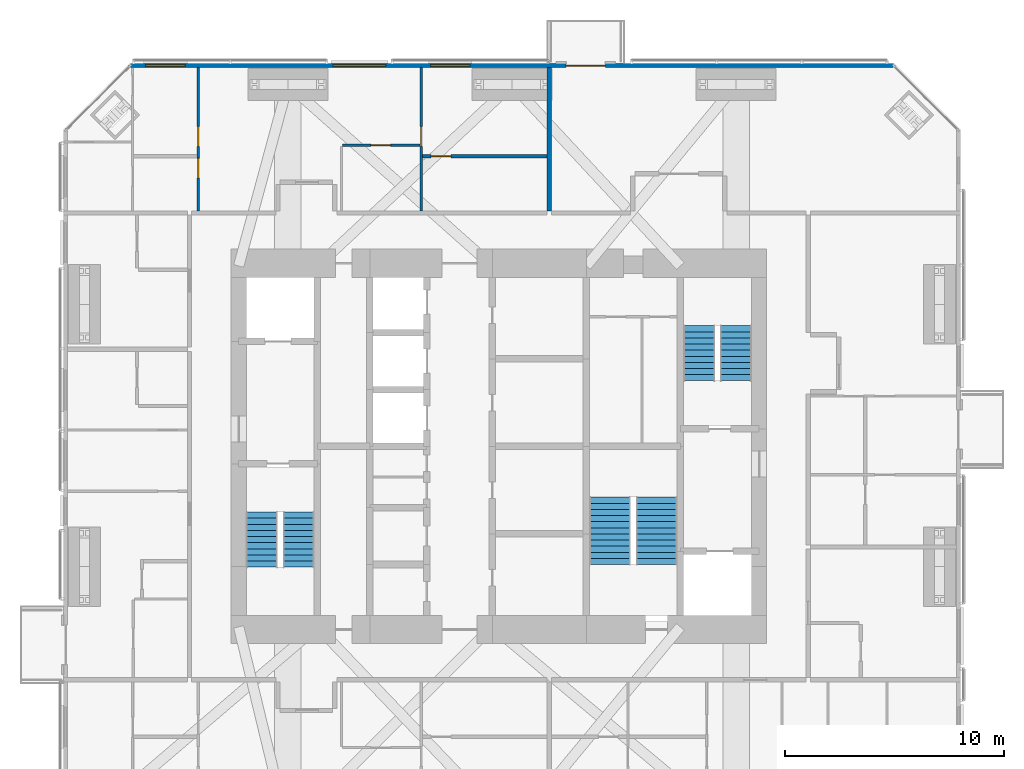
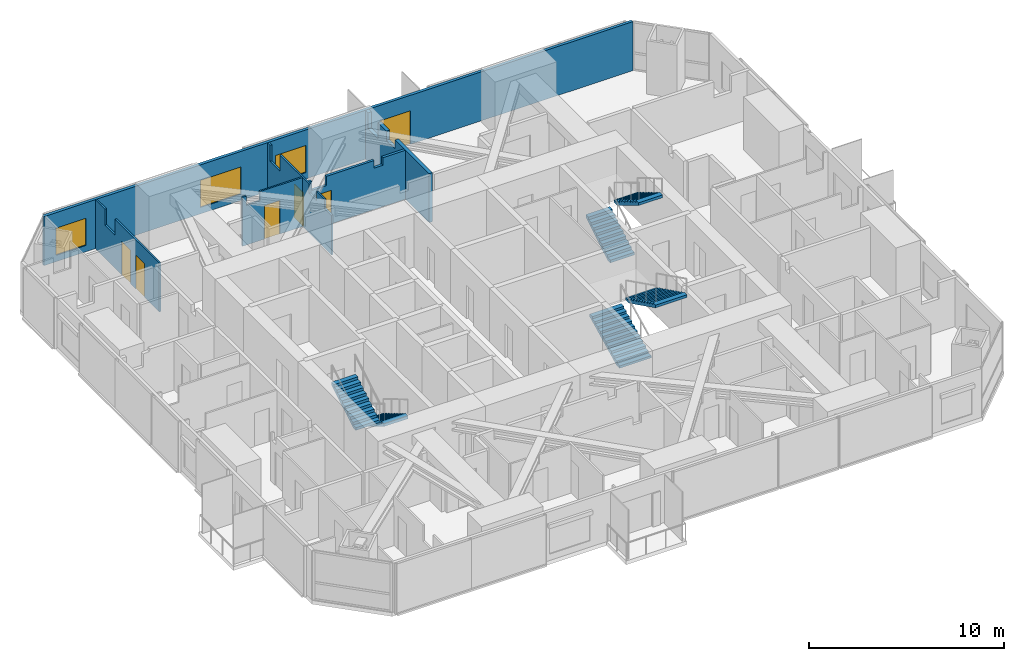
# One storey, part 21 of 22: 6 doors, 6 stair flights, 6 walls, 3 windows, 9 openings, 3 elements without a shape of their own.
"""IFC4 building model written with IfcOpenShell, lengths in metres."""

from ifc_helpers import new_model, si_unit, direction, frame, frame_2d, origin, place, context, subcontext, project, spatial, polyline, rectangle, outline, extrude, material, constituent, constituent_set, type_object, element, fill, aggregate, save


model = new_model("IFC4")

# Units and contexts
model_context = context("Model", 3, precision=1e-05, world=origin(), true_north=direction((0.0, 1.0)))
body_context = subcontext(model_context, "Body", "Model", "MODEL_VIEW")
ifc_project = project(units=[si_unit("LENGTHUNIT", "METRE"), si_unit("AREAUNIT", "SQUARE_METRE"), si_unit("VOLUMEUNIT", "CUBIC_METRE"), si_unit("PLANEANGLEUNIT", "RADIAN"), si_unit("MASSUNIT", "GRAM", prefix="KILO")], contexts=[model_context])

# Site, building, storey
site_placement = place(None, origin())
site = spatial("IfcSite", under=ifc_project, at=site_placement, CompositionType="ELEMENT")
building_placement = place(site_placement, origin())
building = spatial("IfcBuilding", under=site, at=building_placement, Name="Jalousie Tower", CompositionType="ELEMENT")
storey_placement = place(building_placement, frame((0.0, 0.0, 204.60009765625)))
storey = spatial("IfcBuildingStorey", under=building, at=storey_placement, Name="L56", CompositionType="ELEMENT", Elevation=204.60009765625)

# Wall, opening, door
ifc_material_1 = material(Name="Concrete block ASTM C90", Category="concrete")
ifc_constituent_1 = constituent(ifc_material_1, Name="Body")
ifc_material_2 = material(Name="Render")
ifc_constituent_2 = constituent(ifc_material_2, Name="Finish")
ifc_constituent_set_1 = constituent_set(constituents=[ifc_constituent_1, ifc_constituent_2])
wall_type_1 = type_object("IfcWallType", Name="BATHROOM WALL 150", PredefinedType="PLUMBINGWALL", material=ifc_constituent_set_1)
wall_1_placement = place(storey_placement, frame((28.39990234375, 31.77490234375, 0.0), z_axis=(0.0, 0.0, 1.0), x_axis=(1.0, 0.0, 0.0)))
wall_1 = element("IfcWall", 1, at=wall_1_placement, inside=storey, type_object=wall_type_1, Name="Bathroom Wall 150 L56", PredefinedType="PLUMBINGWALL", context=body_context, shape_type="SweptSolid", body=[
    extrude(outline(polyline([(0.0, 0.0), (5.7001953125, 0.0), (5.699951171875, 3.06982421875), (4.3564453125, 3.06982421875), (4.3564453125, 2.594970703125), (3.843505859375, 2.594970703125), (3.843505859375, 3.06982421875), (1.014892578125, 3.06982421875), (1.014892578125, 2.49072265625), (0.16162109375, 2.49072265625), (0.16162109375, 3.06982421875), (0.0, 3.06982421875), (0.0, 0.0)])), frame((0.0, 0.074951171875, 0.0), z_axis=(0.0, -1.0, 0.0), x_axis=(1.0, 0.0, 0.0)), (0.0, 0.0, 1.0), 0.14990234375),
])
opening_1_placement = place(wall_1_placement, frame((0.39990234375, 0.0, 0.0)))
opening_1 = element("IfcOpeningElement", 2, at=opening_1_placement, cuts=wall_1, Name="Opening D3", PredefinedType="OPENING", context=body_context, shape_type="SweptSolid", body=[
    extrude(rectangle(XDim=0.89990234375, YDim=2.10009765625, at=frame_2d((0.449951171875, 1.050048828125))), frame((0.0, 0.0849609375, 0.0), z_axis=(0.0, -1.0, 0.0), x_axis=(1.0, 0.0, 0.0)), (0.0, 0.0, 1.0), 0.169921875),
])
ifc_material_3 = material(Name="Timber door", Category="wood")
door_type_1 = type_object("IfcDoorType", Name="BATHROOM DOOR 900", OperationType="SINGLE_SWING_LEFT", PredefinedType="DOOR", material=ifc_material_3)
door_1_placement = place(opening_1_placement, frame((0.89990234375, 0.0, 0.0), z_axis=(0.0, 0.0, 1.0), x_axis=(-1.0, 0.0, 0.0)))
door_1 = element("IfcDoor", 3, at=door_1_placement, inside=storey, type_object=door_type_1, Name="Apartment 5603 bedroom 3 bathroom door", OperationType="SINGLE_SWING_RIGHT", OverallHeight=2.10009765625, OverallWidth=0.89990234375, PredefinedType="DOOR", context=body_context, shape_type="SweptSolid", body=[
    extrude(rectangle(XDim=0.89990234375, YDim=2.10009765625, at=frame_2d((0.449951171875, 1.050048828125))), frame((0.0, 0.02490234375, 0.0), z_axis=(0.0, -1.0, 0.0), x_axis=(1.0, 0.0, 0.0)), (0.0, 0.0, 1.0), 0.050048828125),
])
fill(opening_1, door_1)

# Wall, openings, door, windows
ifc_material_4 = material(Name="Concrete f'c 40 MPa", Category="concrete")
ifc_constituent_3 = constituent(ifc_material_4, Name="Body")
ifc_material_5 = material(Name="Render, pastel lemon")
ifc_constituent_4 = constituent(ifc_material_5, Name="Finish")
ifc_constituent_set_2 = constituent_set(constituents=[ifc_constituent_3, ifc_constituent_4])
wall_type_2 = type_object("IfcWallType", Name="EXTERNAL WALL 175 LEMON RENDER", PredefinedType="SOLIDWALL", material=ifc_constituent_set_2)
wall_2_placement = place(storey_placement, frame((49.94873046875, 35.91259765625, 0.0), z_axis=(0.0, 0.0, 1.0), x_axis=(-1.0, 0.0, 0.0)))
wall_2 = element("IfcWall", 4, at=wall_2_placement, inside=storey, type_object=wall_type_2, Name="External Wall 175 Lemon Render L56", PredefinedType="SOLIDWALL", context=body_context, shape_type="SweptSolid", body=[
    extrude(rectangle(XDim=34.8974609375, YDim=0.175048828125, at=frame_2d((17.44873046875, 0.0))), origin(), (0.0, 0.0, 1.0), 3.06982421875),
])
opening_2_placement = place(wall_2_placement, frame((13.173583984375, 0.0, 0.0)))
opening_2 = element("IfcOpeningElement", 5, at=opening_2_placement, cuts=wall_2, Name="Opening D-BAL21", PredefinedType="OPENING", context=body_context, shape_type="SweptSolid", body=[
    extrude(rectangle(XDim=1.800048828125, YDim=2.10009765625, at=frame_2d((0.89990234375, 1.050048828125))), frame((0.0, 0.097412109375, 0.0), z_axis=(0.0, -1.0, 0.0), x_axis=(1.0, 0.0, 0.0)), (0.0, 0.0, 1.0), 0.195068359375),
])
opening_3_placement = place(wall_2_placement, frame((19.373779296875, 0.0, 0.39990234375)))
opening_3 = element("IfcOpeningElement", 6, at=opening_3_placement, cuts=wall_2, Name="Opening W-BED170", PredefinedType="OPENING", context=body_context, shape_type="SweptSolid", body=[
    extrude(rectangle(XDim=1.800048828125, YDim=1.699951171875, at=frame_2d((0.89990234375, 0.85009765625))), frame((0.0, 0.097412109375, 0.0), z_axis=(0.0, -1.0, 0.0), x_axis=(1.0, 0.0, 0.0)), (0.0, 0.0, 1.0), 0.195068359375),
])
opening_4_placement = place(wall_2_placement, frame((23.2236328125, 0.0, 0.39990234375)))
opening_4 = element("IfcOpeningElement", 7, at=opening_4_placement, cuts=wall_2, Name="Opening W-LIV170", PredefinedType="OPENING", context=body_context, shape_type="SweptSolid", body=[
    extrude(rectangle(XDim=2.39990234375, YDim=1.699951171875, at=frame_2d((1.199951171875, 0.85009765625))), frame((0.0, 0.097412109375, 0.0), z_axis=(0.0, -1.0, 0.0), x_axis=(1.0, 0.0, 0.0)), (0.0, 0.0, 1.0), 0.195068359375),
])
opening_5_placement = place(wall_2_placement, frame((32.398681640625, 0.0, 0.39990234375)))
opening_5 = element("IfcOpeningElement", 8, at=opening_5_placement, cuts=wall_2, Name="Opening W-BED170", PredefinedType="OPENING", context=body_context, shape_type="SweptSolid", body=[
    extrude(rectangle(XDim=1.800048828125, YDim=1.699951171875, at=frame_2d((0.89990234375, 0.85009765625))), frame((0.0, 0.097412109375, 0.0), z_axis=(0.0, -1.0, 0.0), x_axis=(1.0, 0.0, 0.0)), (0.0, 0.0, 1.0), 0.195068359375),
])
ifc_material_6 = material(Name="Aluminium frame, impact-rated glazing", Category="aluminium")
door_type_2 = type_object("IfcDoorType", Name="BALCONY DOOR 1800x2100", OperationType="SLIDING_TO_LEFT", PredefinedType="DOOR", material=ifc_material_6)
door_2_placement = place(opening_2_placement, origin())
door_2 = element("IfcDoor", 9, at=door_2_placement, inside=storey, type_object=door_type_2, Name="Residents' lounge balcony door", OperationType="SLIDING_TO_LEFT", OverallHeight=2.10009765625, OverallWidth=1.800048828125, PredefinedType="DOOR", context=body_context, shape_type="SweptSolid", body=[
    extrude(rectangle(XDim=1.800048828125, YDim=2.10009765625, at=frame_2d((0.89990234375, 1.050048828125))), frame((0.0, 0.02490234375, 0.0), z_axis=(0.0, -1.0, 0.0), x_axis=(1.0, 0.0, 0.0)), (0.0, 0.0, 1.0), 0.050048828125),
])
fill(opening_2, door_2)
ifc_material_7 = material(Name="Aluminium frame, impact-rated glazing", Category="aluminium")
window_type_1 = type_object("IfcWindowType", Name="WINDOW BED 1800x1700", PartitioningType="SINGLE_PANEL", PredefinedType="WINDOW", material=ifc_material_7)
window_1_placement = place(opening_3_placement, origin())
window_1 = element("IfcWindow", 10, at=window_1_placement, inside=storey, type_object=window_type_1, Name="Apartment 5603 bedroom 3 window", OverallHeight=1.699951171875, OverallWidth=1.800048828125, PartitioningType="SINGLE_PANEL", PredefinedType="WINDOW", context=body_context, shape_type="SweptSolid", body=[
    extrude(rectangle(XDim=1.800048828125, YDim=1.699951171875, at=frame_2d((0.89990234375, 0.85009765625))), frame((0.0, 0.030029296875, 0.0), z_axis=(0.0, -1.0, 0.0), x_axis=(1.0, 0.0, 0.0)), (0.0, 0.0, 1.0), 0.06005859375),
])
fill(opening_3, window_1)
window_2_placement = place(opening_5_placement, origin())
window_2 = element("IfcWindow", 11, at=window_2_placement, inside=storey, type_object=window_type_1, Name="Apartment 5603 bedroom 2 window", OverallHeight=1.699951171875, OverallWidth=1.800048828125, PartitioningType="SINGLE_PANEL", PredefinedType="WINDOW", context=body_context, shape_type="SweptSolid", body=[
    extrude(rectangle(XDim=1.800048828125, YDim=1.699951171875, at=frame_2d((0.89990234375, 0.85009765625))), frame((0.0, 0.030029296875, 0.0), z_axis=(0.0, -1.0, 0.0), x_axis=(1.0, 0.0, 0.0)), (0.0, 0.0, 1.0), 0.06005859375),
])
fill(opening_5, window_2)
ifc_material_8 = material(Name="Aluminium frame, impact-rated glazing", Category="aluminium")
window_type_2 = type_object("IfcWindowType", Name="WINDOW LIV 2400x1700", PartitioningType="DOUBLE_PANEL_VERTICAL", PredefinedType="WINDOW", material=ifc_material_8)
window_3_placement = place(opening_4_placement, origin())
window_3 = element("IfcWindow", 12, at=window_3_placement, inside=storey, type_object=window_type_2, Name="Apartment 5603 living and dining room window", OverallHeight=1.699951171875, OverallWidth=2.39990234375, PartitioningType="SINGLE_PANEL", PredefinedType="WINDOW", context=body_context, shape_type="SweptSolid", body=[
    extrude(rectangle(XDim=2.39990234375, YDim=1.699951171875, at=frame_2d((1.199951171875, 0.85009765625))), frame((0.0, 0.030029296875, 0.0), z_axis=(0.0, -1.0, 0.0), x_axis=(1.0, 0.0, 0.0)), (0.0, 0.0, 1.0), 0.06005859375),
])
fill(opening_4, window_3)

# Wall, openings, doors
ifc_material_9 = material(Name="Gypsum board", Category="gypsum")
ifc_constituent_5 = constituent(ifc_material_9, Name="Body")
ifc_material_10 = material(Name="Light-gauge steel studs ASTM A653 SS Grade 33", Category="steel")
ifc_constituent_6 = constituent(ifc_material_10, Name="Framing")
ifc_constituent_set_3 = constituent_set(constituents=[ifc_constituent_5, ifc_constituent_6])
wall_type_3 = type_object("IfcWallType", Name="PARTITION 100", PredefinedType="PARTITIONING", material=ifc_constituent_set_3)
wall_3_placement = place(storey_placement, frame((18.14990234375, 35.824951171875, 0.0), z_axis=(0.0, 0.0, 1.0), x_axis=(0.0, -1.0, 0.0)))
wall_3 = element("IfcWall", 13, at=wall_3_placement, inside=storey, type_object=wall_type_3, Name="Partition 100 L56", PredefinedType="PARTITIONING", context=body_context, shape_type="SweptSolid", body=[
    extrude(outline(polyline([(0.0, 0.0), (6.550048828125, 0.0), (6.550048828125, 3.06982421875), (2.017333984375, 3.06982421875), (2.017333984375, 2.06982421875), (0.98388671875, 2.06982421875), (0.98388671875, 3.06982421875), (0.0, 3.06982421875), (0.0, 0.0)])), frame((0.0, 0.050048828125, 0.0), z_axis=(0.0, -1.0, 0.0), x_axis=(1.0, 0.0, 0.0)), (0.0, 0.0, 1.0), 0.10009765625),
])
opening_6_placement = place(wall_3_placement, frame((2.699951171875, 0.0, 0.0)))
opening_6 = element("IfcOpeningElement", 14, at=opening_6_placement, cuts=wall_3, Name="Opening D2", PredefinedType="OPENING", context=body_context, shape_type="SweptSolid", body=[
    extrude(rectangle(XDim=0.89990234375, YDim=2.10009765625, at=frame_2d((0.449951171875, 1.050048828125))), frame((0.0, 0.06005859375, 0.0), z_axis=(0.0, -1.0, 0.0), x_axis=(1.0, 0.0, 0.0)), (0.0, 0.0, 1.0), 0.1201171875),
])
opening_7_placement = place(wall_3_placement, frame((4.14990234375, 0.0, 0.0)))
opening_7 = element("IfcOpeningElement", 15, at=opening_7_placement, cuts=wall_3, Name="Opening D7", PredefinedType="OPENING", context=body_context, shape_type="SweptSolid", body=[
    extrude(rectangle(XDim=0.89990234375, YDim=2.10009765625, at=frame_2d((0.449951171875, 1.050048828125))), frame((0.0, 0.06005859375, 0.0), z_axis=(0.0, -1.0, 0.0), x_axis=(1.0, 0.0, 0.0)), (0.0, 0.0, 1.0), 0.1201171875),
])
ifc_material_11 = material(Name="Timber door", Category="wood")
door_type_3 = type_object("IfcDoorType", Name="BEDROOM DOOR 900", OperationType="SINGLE_SWING_LEFT", PredefinedType="DOOR", material=ifc_material_11)
door_3_placement = place(opening_6_placement, frame((0.89990234375, 0.0, 0.0), z_axis=(0.0, 0.0, 1.0), x_axis=(-1.0, 0.0, 0.0)))
door_3 = element("IfcDoor", 16, at=door_3_placement, inside=storey, type_object=door_type_3, Name="Apartment 5603 bedroom 2 door", OperationType="SINGLE_SWING_LEFT", OverallHeight=2.10009765625, OverallWidth=0.89990234375, PredefinedType="DOOR", context=body_context, shape_type="SweptSolid", body=[
    extrude(rectangle(XDim=0.89990234375, YDim=2.10009765625, at=frame_2d((0.449951171875, 1.050048828125))), frame((0.0, 0.02490234375, 0.0), z_axis=(0.0, -1.0, 0.0), x_axis=(1.0, 0.0, 0.0)), (0.0, 0.0, 1.0), 0.050048828125),
])
fill(opening_6, door_3)
ifc_material_12 = material(Name="Timber door", Category="wood")
door_type_4 = type_object("IfcDoorType", Name="INTERNAL DOOR 900", OperationType="SINGLE_SWING_LEFT", PredefinedType="DOOR", material=ifc_material_12)
door_4_placement = place(opening_7_placement, frame((0.89990234375, 0.0, 0.0), z_axis=(0.0, 0.0, 1.0), x_axis=(-1.0, 0.0, 0.0)))
door_4 = element("IfcDoor", 17, at=door_4_placement, inside=storey, type_object=door_type_4, Name="Apartment 5603 bathroom door", OperationType="SINGLE_SWING_RIGHT", OverallHeight=2.10009765625, OverallWidth=0.89990234375, PredefinedType="DOOR", context=body_context, shape_type="SweptSolid", body=[
    extrude(rectangle(XDim=0.89990234375, YDim=2.10009765625, at=frame_2d((0.449951171875, 1.050048828125))), frame((0.0, 0.02490234375, 0.0), z_axis=(0.0, -1.0, 0.0), x_axis=(1.0, 0.0, 0.0)), (0.0, 0.0, 1.0), 0.050048828125),
])
fill(opening_7, door_4)

# Wall, opening, door
wall_4_placement = place(storey_placement, frame((28.35009765625, 35.824951171875, 0.0), z_axis=(0.0, 0.0, 1.0), x_axis=(0.0, -1.0, 0.0)))
wall_4 = element("IfcWall", 18, at=wall_4_placement, inside=storey, type_object=wall_type_3, Name="Partition 100 L56", PredefinedType="PARTITIONING", context=body_context, shape_type="SweptSolid", body=[
    extrude(outline(polyline([(0.0, 0.0), (6.550048828125, 0.0), (6.550048828125, 2.49072265625), (5.82958984375, 2.49072265625), (5.82958984375, 3.06982421875), (5.014892578125, 3.06982421875), (5.014892578125, 2.49072265625), (4.275634765625, 2.49072265625), (4.275634765625, 3.06982421875), (1.27490234375, 3.06982421875), (1.27490234375, 2.06982421875), (0.27490234375, 2.06982421875), (0.27490234375, 3.06982421875), (0.0, 3.06982421875), (0.0, 0.0)])), frame((0.0, 0.050048828125, 0.0), z_axis=(0.0, -1.0, 0.0), x_axis=(1.0, 0.0, 0.0)), (0.0, 0.0, 1.0), 0.10009765625),
])
opening_8_placement = place(wall_4_placement, frame((2.699951171875, 0.0, 0.0)))
opening_8 = element("IfcOpeningElement", 19, at=opening_8_placement, cuts=wall_4, Name="Opening D2", PredefinedType="OPENING", context=body_context, shape_type="SweptSolid", body=[
    extrude(rectangle(XDim=0.89990234375, YDim=2.10009765625, at=frame_2d((0.449951171875, 1.050048828125))), frame((0.0, 0.06005859375, 0.0), z_axis=(0.0, -1.0, 0.0), x_axis=(1.0, 0.0, 0.0)), (0.0, 0.0, 1.0), 0.1201171875),
])
door_5_placement = place(opening_8_placement, origin())
door_5 = element("IfcDoor", 20, at=door_5_placement, inside=storey, type_object=door_type_3, Name="Apartment 5603 bedroom 3 door", OperationType="SINGLE_SWING_RIGHT", OverallHeight=2.10009765625, OverallWidth=0.89990234375, PredefinedType="DOOR", context=body_context, shape_type="SweptSolid", body=[
    extrude(rectangle(XDim=0.89990234375, YDim=2.10009765625, at=frame_2d((0.449951171875, 1.050048828125))), frame((0.0, 0.02490234375, 0.0), z_axis=(0.0, -1.0, 0.0), x_axis=(1.0, 0.0, 0.0)), (0.0, 0.0, 1.0), 0.050048828125),
])
fill(opening_8, door_5)

wall_5_placement = place(storey_placement, frame((24.75, 32.27490234375, 0.0), z_axis=(0.0, 0.0, 1.0), x_axis=(1.0, 0.0, 0.0)))
wall_5 = element("IfcWall", 21, at=wall_5_placement, inside=storey, type_object=wall_type_3, Name="Partition 100 L56", PredefinedType="PARTITIONING", context=body_context, shape_type="SweptSolid", body=[
    extrude(outline(polyline([(0.0, 0.0), (3.550048828125, 0.0), (3.550048828125, 3.06982421875), (1.0380859375, 3.06982421875), (1.0380859375, 2.49072265625), (0.2138671875, 2.49072265625), (0.2138671875, 3.06982421875), (0.0, 3.06982421875), (0.0, 0.0)])), frame((0.0, 0.050048828125, 0.0), z_axis=(0.0, -1.0, 0.0), x_axis=(1.0, 0.0, 0.0)), (0.0, 0.0, 1.0), 0.10009765625),
])
opening_9_placement = place(wall_5_placement, frame((1.300048828125, 0.0, 0.0)))
opening_9 = element("IfcOpeningElement", 22, at=opening_9_placement, cuts=wall_5, Name="Opening D7", PredefinedType="OPENING", context=body_context, shape_type="SweptSolid", body=[
    extrude(rectangle(XDim=0.89990234375, YDim=2.10009765625, at=frame_2d((0.449951171875, 1.050048828125))), frame((0.0, 0.06005859375, 0.0), z_axis=(0.0, -1.0, 0.0), x_axis=(1.0, 0.0, 0.0)), (0.0, 0.0, 1.0), 0.1201171875),
])
door_6_placement = place(opening_9_placement, origin())
door_6 = element("IfcDoor", 23, at=door_6_placement, inside=storey, type_object=door_type_4, Name="Apartment 5603 kitchen door", OperationType="SINGLE_SWING_RIGHT", OverallHeight=2.10009765625, OverallWidth=0.89990234375, PredefinedType="DOOR", context=body_context, shape_type="SweptSolid", body=[
    extrude(rectangle(XDim=0.89990234375, YDim=2.10009765625, at=frame_2d((0.449951171875, 1.050048828125))), frame((0.0, 0.02490234375, 0.0), z_axis=(0.0, -1.0, 0.0), x_axis=(1.0, 0.0, 0.0)), (0.0, 0.0, 1.0), 0.050048828125),
])
fill(opening_9, door_6)

# Wall
ifc_material_13 = material(Name="Concrete block ASTM C90", Category="concrete")
ifc_constituent_7 = constituent(ifc_material_13, Name="Body")
ifc_material_14 = material(Name="Render")
ifc_constituent_8 = constituent(ifc_material_14, Name="Finish")
ifc_constituent_set_4 = constituent_set(constituents=[ifc_constituent_7, ifc_constituent_8])
wall_type_4 = type_object("IfcWallType", Name="PARTY WALL 200", PredefinedType="PARTITIONING", material=ifc_constituent_set_4)
wall_6_placement = place(storey_placement, frame((34.199951171875, 35.824951171875, 0.0), z_axis=(0.0, 0.0, 1.0), x_axis=(0.0, -1.0, 0.0)))
element("IfcWall", 24, at=wall_6_placement, inside=storey, type_object=wall_type_4, Name="Party Wall 200 L56", PredefinedType="PARTITIONING", context=body_context, shape_type="SweptSolid", body=[
    extrude(outline(polyline([(0.0, 0.0), (6.550048828125, 0.0), (6.550048828125, 3.06982421875), (3.0625, 3.06982421875), (3.0625, 2.49072265625), (2.15234375, 2.49072265625), (2.15234375, 3.06982421875), (1.27490234375, 3.06982421875), (1.27490234375, 2.06982421875), (0.27490234375, 2.06982421875), (0.27490234375, 3.06982421875), (0.0, 3.06982421875), (0.0, 0.0)])), frame((0.0, 0.10009765625, 0.0), z_axis=(0.0, -1.0, 0.0), x_axis=(1.0, 0.0, 0.0)), (0.0, 0.0, 1.0), 0.199951171875),
])

# Stair, stair flights
ifc_material_15 = material(Name="Concrete f'c 40 MPa", Category="concrete")
stair_type = type_object("IfcStairType", Name="EXIT STAIR", PredefinedType="HALF_TURN_STAIR", material=ifc_material_15)
stair_1_placement = place(storey_placement, origin())
stair_1 = element("IfcStair", 25, at=stair_1_placement, inside=storey, type_object=stair_type, Name="Exit stair A L56", PredefinedType="HALF_TURN_STAIR")
ifc_material_16 = material(Name="Concrete f'c 40 MPa", Category="concrete")
stair_flight_type = type_object("IfcStairFlightType", Name="STAIR FLIGHT", PredefinedType="STRAIGHT", material=ifc_material_16)
stair_flight_1_placement = place(storey_placement, frame((22.737548828125, 15.49755859375, 0.0), z_axis=(0.0, 0.0, 1.0), x_axis=(0.0, -1.0, 0.0)))
stair_flight_1 = element("IfcStairFlight", 26, at=stair_flight_1_placement, type_object=stair_flight_type, Name="ST-A flight 1", NumberOfRisers=10, NumberOfTreads=9, PredefinedType="STRAIGHT", RiserHeight=0.1675, TreadLength=0.28, context=body_context, shape_type="SweptSolid", body=[
    extrude(outline(polyline([(0.0, 0.0), (0.0, 0.16748046875), (0.280029296875, 0.16748046875), (0.280029296875, 0.3349609375), (0.56005859375, 0.3349609375), (0.56005859375, 0.50244140625), (0.840087890625, 0.50244140625), (0.840087890625, 0.669921875), (1.1201171875, 0.669921875), (1.1201171875, 0.83740234375), (1.39990234375, 0.83740234375), (1.39990234375, 1.0048828125), (1.679931640625, 1.0048828125), (1.679931640625, 1.172607421875), (1.9599609375, 1.172607421875), (1.9599609375, 1.340087890625), (2.239990234375, 1.340087890625), (2.239990234375, 1.507568359375), (2.52001953125, 1.507568359375), (2.52001953125, 1.675048828125), (2.52001953125, 1.332763671875), (0.2919921875, 0.0), (0.0, 0.0)])), frame((0.0, 0.71240234375, 0.0), z_axis=(0.0, -1.0, 0.0), x_axis=(1.0, 0.0, 0.0)), (0.0, 0.0, 1.0), 1.425048828125),
])
stair_flight_2_placement = place(storey_placement, frame((21.0625, 12.9775390625, 1.6748046875), z_axis=(0.0, 0.0, 1.0), x_axis=(0.0, 1.0, 0.0)))
stair_flight_2 = element("IfcStairFlight", 27, at=stair_flight_2_placement, type_object=stair_flight_type, Name="ST-A flight 2", NumberOfRisers=10, NumberOfTreads=9, PredefinedType="STRAIGHT", RiserHeight=0.1675, TreadLength=0.28, context=body_context, shape_type="SweptSolid", body=[
    extrude(outline(polyline([(0.0, 0.0), (0.0, 0.16748046875), (0.280029296875, 0.16748046875), (0.280029296875, 0.3349609375), (0.56005859375, 0.3349609375), (0.56005859375, 0.50244140625), (0.840087890625, 0.50244140625), (0.840087890625, 0.669921875), (1.1201171875, 0.669921875), (1.1201171875, 0.83740234375), (1.39990234375, 0.83740234375), (1.39990234375, 1.0048828125), (1.679931640625, 1.0048828125), (1.679931640625, 1.172607421875), (1.9599609375, 1.172607421875), (1.9599609375, 1.340087890625), (2.239990234375, 1.340087890625), (2.239990234375, 1.507568359375), (2.52001953125, 1.507568359375), (2.52001953125, 1.675048828125), (2.52001953125, 1.332763671875), (0.2919921875, 0.0), (0.0, 0.0)])), frame((0.0, 0.71240234375, 0.0), z_axis=(0.0, -1.0, 0.0), x_axis=(1.0, 0.0, 0.0)), (0.0, 0.0, 1.0), 1.425048828125),
])
aggregate(stair_1, [stair_flight_1, stair_flight_2])

stair_2_placement = place(storey_placement, origin())
stair_2 = element("IfcStair", 28, at=stair_2_placement, inside=storey, type_object=stair_type, Name="Exit stair B L56", PredefinedType="HALF_TURN_STAIR")
stair_flight_3_placement = place(storey_placement, frame((41.0625, 21.50244140625, 0.0), z_axis=(0.0, 0.0, 1.0), x_axis=(0.0, 1.0, 0.0)))
stair_flight_3 = element("IfcStairFlight", 29, at=stair_flight_3_placement, type_object=stair_flight_type, Name="ST-B flight 1", NumberOfRisers=10, NumberOfTreads=9, PredefinedType="STRAIGHT", RiserHeight=0.1675, TreadLength=0.28, context=body_context, shape_type="SweptSolid", body=[
    extrude(outline(polyline([(0.0, 0.0), (0.0, 0.16748046875), (0.280029296875, 0.16748046875), (0.280029296875, 0.3349609375), (0.56005859375, 0.3349609375), (0.56005859375, 0.50244140625), (0.840087890625, 0.50244140625), (0.840087890625, 0.669921875), (1.1201171875, 0.669921875), (1.1201171875, 0.83740234375), (1.39990234375, 0.83740234375), (1.39990234375, 1.0048828125), (1.679931640625, 1.0048828125), (1.679931640625, 1.172607421875), (1.9599609375, 1.172607421875), (1.9599609375, 1.340087890625), (2.239990234375, 1.340087890625), (2.239990234375, 1.507568359375), (2.52001953125, 1.507568359375), (2.52001953125, 1.675048828125), (2.52001953125, 1.332763671875), (0.2919921875, 0.0), (0.0, 0.0)])), frame((0.0, 0.71240234375, 0.0), z_axis=(0.0, -1.0, 0.0), x_axis=(1.0, 0.0, 0.0)), (0.0, 0.0, 1.0), 1.425048828125),
])
stair_flight_4_placement = place(storey_placement, frame((42.737548828125, 24.0224609375, 1.6748046875), z_axis=(0.0, 0.0, 1.0), x_axis=(0.0, -1.0, 0.0)))
stair_flight_4 = element("IfcStairFlight", 30, at=stair_flight_4_placement, type_object=stair_flight_type, Name="ST-B flight 2", NumberOfRisers=10, NumberOfTreads=9, PredefinedType="STRAIGHT", RiserHeight=0.1675, TreadLength=0.28, context=body_context, shape_type="SweptSolid", body=[
    extrude(outline(polyline([(0.0, 0.0), (0.0, 0.16748046875), (0.280029296875, 0.16748046875), (0.280029296875, 0.3349609375), (0.56005859375, 0.3349609375), (0.56005859375, 0.50244140625), (0.840087890625, 0.50244140625), (0.840087890625, 0.669921875), (1.1201171875, 0.669921875), (1.1201171875, 0.83740234375), (1.39990234375, 0.83740234375), (1.39990234375, 1.0048828125), (1.679931640625, 1.0048828125), (1.679931640625, 1.172607421875), (1.9599609375, 1.172607421875), (1.9599609375, 1.340087890625), (2.239990234375, 1.340087890625), (2.239990234375, 1.507568359375), (2.52001953125, 1.507568359375), (2.52001953125, 1.675048828125), (2.52001953125, 1.332763671875), (0.2919921875, 0.0), (0.0, 0.0)])), frame((0.0, 0.71240234375, 0.0), z_axis=(0.0, -1.0, 0.0), x_axis=(1.0, 0.0, 0.0)), (0.0, 0.0, 1.0), 1.425048828125),
])
aggregate(stair_2, [stair_flight_3, stair_flight_4])

stair_3_placement = place(storey_placement, origin())
stair_3 = element("IfcStair", 31, at=stair_3_placement, inside=storey, type_object=stair_type, Name="Exit stair C L56", PredefinedType="HALF_TURN_STAIR")
stair_flight_5_placement = place(storey_placement, frame((36.987548828125, 13.097412109375, 0.0), z_axis=(0.0, 0.0, 1.0), x_axis=(0.0, 1.0, 0.0)))
stair_flight_5 = element("IfcStairFlight", 32, at=stair_flight_5_placement, type_object=stair_flight_type, Name="ST-C flight 1", NumberOfRisers=12, NumberOfTreads=11, PredefinedType="STRAIGHT", RiserHeight=0.139583333, TreadLength=0.28, context=body_context, shape_type="SweptSolid", body=[
    extrude(outline(polyline([(0.0, 0.0), (0.0, 0.1396484375), (0.280029296875, 0.1396484375), (0.280029296875, 0.279052734375), (0.56005859375, 0.279052734375), (0.56005859375, 0.418701171875), (0.840087890625, 0.418701171875), (0.840087890625, 0.558349609375), (1.1201171875, 0.558349609375), (1.1201171875, 0.697998046875), (1.39990234375, 0.697998046875), (1.39990234375, 0.83740234375), (1.679931640625, 0.83740234375), (1.679931640625, 0.97705078125), (1.9599609375, 0.97705078125), (1.9599609375, 1.11669921875), (2.239990234375, 1.11669921875), (2.239990234375, 1.25634765625), (2.52001953125, 1.25634765625), (2.52001953125, 1.395751953125), (2.800048828125, 1.395751953125), (2.800048828125, 1.535400390625), (3.080078125, 1.535400390625), (3.080078125, 1.675048828125), (3.080078125, 1.367919921875), (0.3359375, 0.0), (0.0, 0.0)])), frame((0.0, 0.9375, 0.0), z_axis=(0.0, -1.0, 0.0), x_axis=(1.0, 0.0, 0.0)), (0.0, 0.0, 1.0), 1.875),
])
stair_flight_6_placement = place(storey_placement, frame((39.112548828125, 16.177490234375, 1.6748046875), z_axis=(0.0, 0.0, 1.0), x_axis=(0.0, -1.0, 0.0)))
stair_flight_6 = element("IfcStairFlight", 33, at=stair_flight_6_placement, type_object=stair_flight_type, Name="ST-C flight 2", NumberOfRisers=12, NumberOfTreads=11, PredefinedType="STRAIGHT", RiserHeight=0.139583333, TreadLength=0.28, context=body_context, shape_type="SweptSolid", body=[
    extrude(outline(polyline([(0.0, 0.0), (0.0, 0.1396484375), (0.280029296875, 0.1396484375), (0.280029296875, 0.279052734375), (0.56005859375, 0.279052734375), (0.56005859375, 0.418701171875), (0.840087890625, 0.418701171875), (0.840087890625, 0.558349609375), (1.1201171875, 0.558349609375), (1.1201171875, 0.697998046875), (1.39990234375, 0.697998046875), (1.39990234375, 0.83740234375), (1.679931640625, 0.83740234375), (1.679931640625, 0.97705078125), (1.9599609375, 0.97705078125), (1.9599609375, 1.11669921875), (2.239990234375, 1.11669921875), (2.239990234375, 1.25634765625), (2.52001953125, 1.25634765625), (2.52001953125, 1.395751953125), (2.800048828125, 1.395751953125), (2.800048828125, 1.535400390625), (3.080078125, 1.535400390625), (3.080078125, 1.675048828125), (3.080078125, 1.367919921875), (0.3359375, 0.0), (0.0, 0.0)])), frame((0.0, 0.9375, 0.0), z_axis=(0.0, -1.0, 0.0), x_axis=(1.0, 0.0, 0.0)), (0.0, 0.0, 1.0), 1.875),
])
aggregate(stair_3, [stair_flight_5, stair_flight_6])

save(model, "model.ifc")
